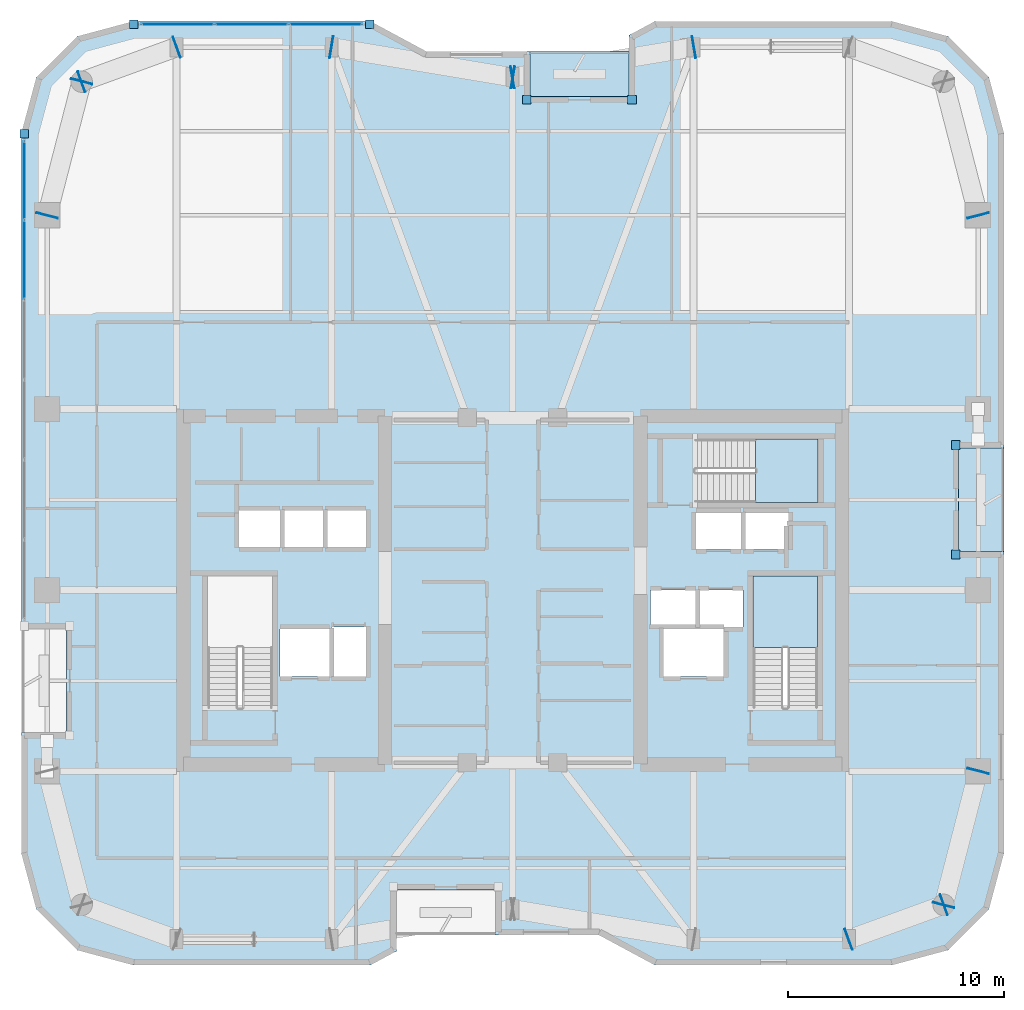
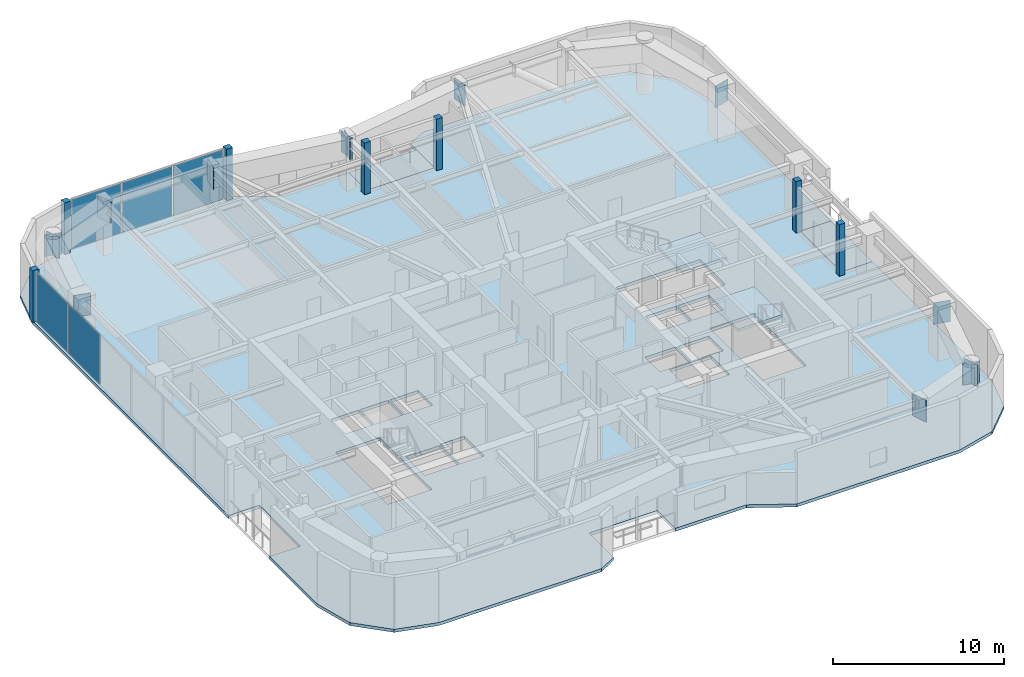
# One storey, part 13 of 21: 25 plates, 5 slabs, 4 elements without a shape of their own.
"""IFC4 building model written with IfcOpenShell, lengths in metres."""

from ifc_helpers import new_model, si_unit, direction, frame, origin, origin_2d, place, context, subcontext, project, spatial, polyline, rectangle, outline, extrude, material, layer, layer_set, type_object, element, aggregate, save


model = new_model("IFC4")

# Units and contexts
model_context = context("Model", 3, precision=1e-05, world=origin(), true_north=direction((0.0, 1.0)))
body_context = subcontext(model_context, "Body", "Model", "MODEL_VIEW")
ifc_project = project(units=[si_unit("LENGTHUNIT", "METRE"), si_unit("AREAUNIT", "SQUARE_METRE"), si_unit("VOLUMEUNIT", "CUBIC_METRE"), si_unit("PLANEANGLEUNIT", "RADIAN"), si_unit("MASSUNIT", "GRAM", prefix="KILO")], contexts=[model_context])

# Site, building, storey
site_placement = place(None, origin())
site = spatial("IfcSite", under=ifc_project, at=site_placement, CompositionType="ELEMENT")
building_placement = place(site_placement, origin())
building = spatial("IfcBuilding", under=site, at=building_placement, Name="Kiyonajd Concourse Tower", CompositionType="ELEMENT")
storey_placement = place(building_placement, frame((0.0, 0.0, 219.300048828125)))
storey = spatial("IfcBuildingStorey", under=building, at=storey_placement, Name="L55", CompositionType="ELEMENT", Elevation=219.300048828125)

# Plates
ifc_material_1 = material(Name="Steel ASTM A572 Grade 50", Category="steel")
ifc_layer_1 = layer(ifc_material_1, 0.031982421875)
ifc_layer_set_1 = layer_set([ifc_layer_1], Name="Steel ASTM A572 Grade 50")
plate_type_1 = type_object("IfcPlateType", Name="PL-CAP-540", PredefinedType="USERDEFINED", material=ifc_layer_set_1)
for number, where, z_axis, x_axis, name in (
    (1, (63.589599609375, 19.796142578125, 2.2099609375), (0.0, 0.0, 1.0), (-0.939811951086, -0.341692107891, 0.0), "L55 Welded Box Girder End Cap"),
    (2, (68.01025390625, 21.40380859375, 2.2099609375), (0.0, 0.0, 1.0), (0.939811951086, 0.341692107891, 0.0), "L55 Welded Box Girder End Cap"),
    (3, (67.997314453125, 21.389404296875, 2.2099609375), (0.0, 0.0, 1.0), (-0.249873048837, -0.968278606324, 0.0), "L55 Welded Box Girder End Cap"),
    (4, (69.602783203125, 27.610595703125, 2.2099609375), (0.0, 0.0, 1.0), (0.249873048837, 0.968278606324, 0.0), "L55 Welded Box Girder End Cap"),
    (5, (69.602783203125, 53.389404296875, 2.2099609375), (0.0, 0.0, 1.0), (0.249873048837, -0.968278606324, 0.0), "L55 Welded Box Girder End Cap"),
    (6, (56.410888671875, 61.201904296875, 2.2099609375), (0.0, 0.0, 1.0), (0.986400586142, 0.164359008451, 0.0), "L55 Welded Box Girder End Cap"),
    (7, (47.989013671875, 59.798095703125, 2.2099609375), (0.0, 0.0, 1.0), (-0.986400586142, -0.164359008451, 0.0), "L55 Welded Box Girder End Cap"),
    (8, (48.010986328125, 59.798095703125, 2.2099609375), (0.0, 0.0, 1.0), (0.986400586142, -0.164359008451, 0.0), "L55 Welded Box Girder End Cap"),
    (9, (39.589111328125, 61.201904296875, 2.2099609375), (0.0, 0.0, 1.0), (-0.986400586142, 0.164359008451, 0.0), "L55 Welded Box Girder End Cap"),
    (10, (32.410400390625, 61.203857421875, 2.2099609375), (0.0, 0.0, 1.0), (0.939811951086, 0.341692107891, 0.0), "L55 Welded Box Girder End Cap"),
    (11, (27.98974609375, 59.59619140625, 2.2099609375), (0.0, 0.0, 1.0), (-0.939811951086, -0.341692107891, 0.0), "L55 Welded Box Girder End Cap"),
    (12, (28.002685546875, 59.610595703125, 2.2099609375), (0.0, 0.0, 1.0), (0.249873048837, 0.968278606324, 0.0), "L55 Welded Box Girder End Cap"),
    (13, (26.397216796875, 53.389404296875, 2.2099609375), (0.0, 0.0, 1.0), (-0.249873048837, -0.968278606324, 0.0), "L55 Welded Box Girder End Cap"),
):
    element("IfcPlate", number, at=place(storey_placement, frame(where, z_axis=z_axis, x_axis=x_axis)), inside=storey, type_object=plate_type_1, Name=name, ObjectType="CAP PLATE", PredefinedType="USERDEFINED", context=body_context, shape_type="SweptSolid", body=[
        extrude(rectangle(XDim=0.035888671875, YDim=1.02001953125, at=origin_2d()), origin(), (0.0, 0.0, 1.0), 1.5400390625),
    ])

# Curtain wall, plates
ifc_material_2 = material(Name="Thermally Broken Anodised Aluminium", Category="aluminium")
ifc_layer_2 = layer(ifc_material_2, 0.179931640625)
ifc_layer_set_2 = layer_set([ifc_layer_2], Name="Thermally Broken Anodised Aluminium")
curtain_wall_type = type_object("IfcCurtainWallType", Name="CW-SYS-04", PredefinedType="NOTDEFINED", material=ifc_layer_set_2)
curtain_wall_1_placement = place(storey_placement, origin())
curtain_wall_1 = element("IfcCurtainWall", 14, at=curtain_wall_1_placement, inside=storey, type_object=curtain_wall_type, Name="L55 Unitised Curtain Wall CW4", PredefinedType="NOTDEFINED")
ifc_material_3 = material(Name="Double Low-E Insulated Glass", Category="glass")
ifc_layer_3 = layer(ifc_material_3, 0.033935546875)
ifc_layer_set_3 = layer_set([ifc_layer_3], Name="Double Low-E Insulated Glass")
plate_type_2 = type_object("IfcPlateType", Name="PL-CW-VIS34", PredefinedType="CURTAIN_PANEL", material=ifc_layer_set_3)
plate_1_placement = place(storey_placement, frame((25.340087890625, 51.326171875, 0.06494140625), z_axis=(0.0, 0.0, 1.0), x_axis=(0.0, 1.0, 0.0)))
plate_1 = element("IfcPlate", 15, at=plate_1_placement, type_object=plate_type_2, Name="CW4 panel 5.1", PredefinedType="CURTAIN_PANEL", context=body_context, shape_type="SweptSolid", body=[
    extrude(rectangle(XDim=3.645263671875, YDim=0.033935546875, at=origin_2d()), origin(), (0.0, 0.0, 1.0), 3.550048828125),
])
plate_2_placement = place(storey_placement, frame((25.340087890625, 55.020263671875, 0.06494140625), z_axis=(0.0, 0.0, 1.0), x_axis=(0.0, 1.0, 0.0)))
plate_2 = element("IfcPlate", 16, at=plate_2_placement, type_object=plate_type_2, Name="CW4 panel 6.1", PredefinedType="CURTAIN_PANEL", context=body_context, shape_type="SweptSolid", body=[
    extrude(rectangle(XDim=3.61279296875, YDim=0.033935546875, at=origin_2d()), origin(), (0.0, 0.0, 1.0), 3.550048828125),
])
aggregate(curtain_wall_1, [plate_1, plate_2])

curtain_wall_2_placement = place(storey_placement, origin())
curtain_wall_2 = element("IfcCurtainWall", 17, at=curtain_wall_2_placement, inside=storey, type_object=curtain_wall_type, Name="L55 Unitised Curtain Wall CW4", PredefinedType="NOTDEFINED")
plate_3_placement = place(storey_placement, frame((32.452392578125, 62.260009765625, 0.06494140625), z_axis=(0.0, 0.0, 1.0), x_axis=(1.0, 0.0, 0.0)))
plate_3 = element("IfcPlate", 18, at=plate_3_placement, type_object=plate_type_2, Name="CW4 panel 1.1", PredefinedType="CURTAIN_PANEL", context=body_context, shape_type="SweptSolid", body=[
    extrude(rectangle(XDim=3.35791015625, YDim=0.033935546875, at=origin_2d()), origin(), (0.0, 0.0, 1.0), 3.550048828125),
])
plate_4_placement = place(storey_placement, frame((35.8916015625, 62.260009765625, 0.06494140625), z_axis=(0.0, 0.0, 1.0), x_axis=(1.0, 0.0, 0.0)))
plate_4 = element("IfcPlate", 19, at=plate_4_placement, type_object=plate_type_2, Name="CW4 panel 2.1", PredefinedType="CURTAIN_PANEL", context=body_context, shape_type="SweptSolid", body=[
    extrude(rectangle(XDim=3.390380859375, YDim=0.033935546875, at=origin_2d()), origin(), (0.0, 0.0, 1.0), 3.550048828125),
])
plate_5_placement = place(storey_placement, frame((39.330810546875, 62.260009765625, 0.06494140625), z_axis=(0.0, 0.0, 1.0), x_axis=(1.0, 0.0, 0.0)))
plate_5 = element("IfcPlate", 20, at=plate_5_placement, type_object=plate_type_2, Name="CW4 panel 3.1", PredefinedType="CURTAIN_PANEL", context=body_context, shape_type="SweptSolid", body=[
    extrude(rectangle(XDim=3.35791015625, YDim=0.033935546875, at=origin_2d()), origin(), (0.0, 0.0, 1.0), 3.550048828125),
])
aggregate(curtain_wall_2, [plate_3, plate_4, plate_5])

# Plates
ifc_layer_4 = layer(ifc_material_2, 0.39990234375)
ifc_layer_set_4 = layer_set([ifc_layer_4], Name="Thermally Broken Anodised Aluminium")
plate_type_3 = type_object("IfcPlateType", Name="PL-JMB-400", PredefinedType="USERDEFINED", material=ifc_layer_set_4)
for number, where, z_axis, x_axis, name in (
    (21, (25.340087890625, 57.181640625, 0.0), (0.0, 0.0, 1.0), (1.0, 0.0, 0.0), "L55 Facade Jamb Closure Plate 04"),
    (22, (30.41845703125, 62.260009765625, 0.0), (0.0, 0.0, 1.0), (1.0, 0.0, 0.0), "L55 Facade Jamb Closure Plate 05"),
    (23, (41.36474609375, 62.260009765625, 0.0), (0.0, 0.0, 1.0), (1.0, 0.0, 0.0), "L55 Facade Jamb Closure Plate 06"),
    (24, (48.659912109375, 58.760009765625, 0.0), (0.0, 0.0, 1.0), (1.0, 0.0, 0.0), "L55 Facade Jamb Closure Plate 07"),
    (25, (53.5400390625, 58.760009765625, 0.0), (0.0, 0.0, 1.0), (1.0, 0.0, 0.0), "L55 Facade Jamb Closure Plate 08"),
    (26, (68.56005859375, 42.739990234375, 0.0), (0.0, 0.0, 1.0), (1.0, 0.0, 0.0), "L55 Facade Jamb Closure Plate 09"),
    (27, (68.56005859375, 37.659912109375, 0.0), (0.0, 0.0, 1.0), (1.0, 0.0, 0.0), "L55 Facade Jamb Closure Plate 10"),
):
    element("IfcPlate", number, at=place(storey_placement, frame(where, z_axis=z_axis, x_axis=x_axis)), inside=storey, type_object=plate_type_3, Name=name, ObjectType="JAMB PLATE", PredefinedType="USERDEFINED", context=body_context, shape_type="SweptSolid", body=[
        extrude(rectangle(XDim=0.39990234375, YDim=0.39990234375, at=origin_2d()), origin(), (0.0, 0.0, 1.0), 3.679931640625),
    ])

# Stair, slab
ifc_material_4 = material(Name="Concrete C40/50", Category="concrete")
stair_type = type_object("IfcStairType", Name="ST-DLG-22R", PredefinedType="HALF_TURN_STAIR", material=ifc_material_4)
stair_1_placement = place(storey_placement, origin())
stair_1 = element("IfcStair", 28, at=stair_1_placement, inside=storey, type_object=stair_type, Name="L55 Protected Exit Stair ST2", PredefinedType="HALF_TURN_STAIR")
ifc_layer_5 = layer(ifc_material_4, 0.199951171875)
ifc_layer_set_5 = layer_set([ifc_layer_5], Name="Concrete C40/50")
slab_type_1 = type_object("IfcSlabType", Name="SL-LND-200", PredefinedType="LANDING", material=ifc_layer_set_5)
slab_1_placement = place(storey_placement, frame((0.0, 0.0, 1.75)))
slab_1 = element("IfcSlab", 29, at=slab_1_placement, type_object=slab_type_1, Name="ST2 landing 1", PredefinedType="LANDING", context=body_context, shape_type="SweptSolid", body=[
    extrude(outline(polyline([(62.14990234375, 33.35009765625), (62.14990234375, 36.64990234375), (59.14990234375, 36.64990234375), (59.14990234375, 33.35009765625), (62.14990234375, 33.35009765625)])), origin(), (0.0, 0.0, 1.0), 0.199951171875),
])
aggregate(stair_1, [slab_1])

stair_2_placement = place(storey_placement, origin())
stair_2 = element("IfcStair", 30, at=stair_2_placement, inside=storey, type_object=stair_type, Name="L55 Protected Exit Stair ST3", PredefinedType="HALF_TURN_STAIR")
slab_2_placement = place(storey_placement, frame((0.0, 0.0, 1.75)))
slab_2 = element("IfcSlab", 31, at=slab_2_placement, type_object=slab_type_1, Name="ST3 landing 1", PredefinedType="LANDING", context=body_context, shape_type="SweptSolid", body=[
    extrude(outline(polyline([(59.280029296875, 40.080078125), (62.179931640625, 40.080078125), (62.179931640625, 43.02001953125), (59.280029296875, 43.02001953125), (59.280029296875, 40.080078125)])), origin(), (0.0, 0.0, 1.0), 0.199951171875),
])
aggregate(stair_2, [slab_2])

# Slabs
ifc_material_5 = material(Name="Precast concrete C50/60", Category="concrete")
ifc_layer_6 = layer(ifc_material_5, 0.199951171875)
ifc_layer_set_6 = layer_set([ifc_layer_6], Name="Precast concrete C50/60")
slab_type_2 = type_object("IfcSlabType", Name="SL-LOG-200", PredefinedType="FLOOR", material=ifc_layer_set_6)
slab_3_placement = place(storey_placement, frame((0.0, 0.0, -0.199951171875)))
element("IfcSlab", 32, at=slab_3_placement, inside=storey, type_object=slab_type_2, Name="L55 Recessed Engawa Loggia Terrace Slab LOG-N", PredefinedType="FLOOR", context=body_context, shape_type="SweptSolid", body=[
    extrude(outline(polyline([(48.800048828125, 58.89990234375), (53.39990234375, 58.89990234375), (53.39990234375, 61.0), (48.800048828125, 61.0), (48.800048828125, 58.89990234375)])), origin(), (0.0, 0.0, 1.0), 0.199951171875),
])
slab_4_placement = place(storey_placement, frame((0.0, 0.0, -0.199951171875)))
element("IfcSlab", 33, at=slab_4_placement, inside=storey, type_object=slab_type_2, Name="L55 Recessed Engawa Loggia Terrace Slab LOG-E", PredefinedType="FLOOR", context=body_context, shape_type="SweptSolid", body=[
    extrude(outline(polyline([(68.699951171875, 37.800048828125), (70.800048828125, 37.800048828125), (70.800048828125, 42.60009765625), (68.699951171875, 42.60009765625), (68.699951171875, 37.800048828125)])), origin(), (0.0, 0.0, 1.0), 0.199951171875),
])
ifc_layer_7 = layer(ifc_material_4, 0.219970703125)
ifc_layer_set_7 = layer_set([ifc_layer_7], Name="Concrete C40/50")
slab_type_3 = type_object("IfcSlabType", Name="SL-TWR-220", PredefinedType="FLOOR", material=ifc_layer_set_7)
slab_5_placement = place(storey_placement, frame((0.0, 0.0, -0.219970703125)))
element("IfcSlab", 34, at=slab_5_placement, inside=storey, type_object=slab_type_3, Name="L55 Tower Conditioned Floor Slab", PredefinedType="FLOOR", context=body_context, shape_type="SweptSolid", body=[
    extrude(outline(polyline([(25.89697265625, 21.199951171875), (25.199951171875, 23.800048828125), (25.199951171875, 29.39990234375), (27.300048828125, 29.39990234375), (27.300048828125, 34.199951171875), (25.199951171875, 34.199951171875), (25.199951171875, 57.199951171875), (25.89697265625, 59.800048828125), (27.800048828125, 61.702880859375), (30.39990234375, 62.39990234375), (41.39990234375, 62.39990234375), (44.0, 61.0), (48.800048828125, 61.0), (48.800048828125, 58.89990234375), (53.39990234375, 58.89990234375), (53.39990234375, 61.75390625), (54.60009765625, 62.39990234375), (65.60009765625, 62.39990234375), (68.199951171875, 61.702880859375), (70.10302734375, 59.800048828125), (70.800048828125, 57.199951171875), (70.800048828125, 42.60009765625), (68.699951171875, 42.60009765625), (68.699951171875, 37.800048828125), (70.800048828125, 37.800048828125), (70.800048828125, 23.800048828125), (70.10302734375, 21.199951171875), (68.199951171875, 19.297119140625), (65.60009765625, 18.60009765625), (54.60009765625, 18.60009765625), (52.0, 20.0), (47.199951171875, 20.0), (47.199951171875, 22.10009765625), (42.60009765625, 22.10009765625), (42.60009765625, 19.24609375), (41.39990234375, 18.60009765625), (30.39990234375, 18.60009765625), (27.800048828125, 19.297119140625), (25.89697265625, 21.199951171875)]), holes=[polyline([(39.5, 32.0), (37.199951171875, 32.0), (37.199951171875, 34.199951171875), (39.5, 34.199951171875), (39.5, 32.0)]), polyline([(39.60009765625, 32.0), (39.60009765625, 34.300048828125), (41.199951171875, 34.300048828125), (41.199951171875, 32.0), (39.60009765625, 32.0)]), polyline([(33.85009765625, 30.550048828125), (33.85009765625, 36.64990234375), (36.85009765625, 36.64990234375), (36.85009765625, 30.550048828125), (33.85009765625, 30.550048828125)]), polyline([(56.5, 34.300048828125), (54.39990234375, 34.300048828125), (54.39990234375, 36.0), (56.5, 36.0), (56.5, 34.300048828125)]), polyline([(35.300048828125, 38.0), (35.300048828125, 39.699951171875), (37.199951171875, 39.699951171875), (37.199951171875, 38.0), (35.300048828125, 38.0)]), polyline([(37.300048828125, 38.0), (37.300048828125, 39.699951171875), (39.199951171875, 39.699951171875), (39.199951171875, 38.0), (37.300048828125, 38.0)]), polyline([(41.199951171875, 38.0), (39.300048828125, 38.0), (39.300048828125, 39.699951171875), (41.199951171875, 39.699951171875), (41.199951171875, 38.0)]), polyline([(55.0, 32.0), (55.0, 34.199951171875), (57.800048828125, 34.199951171875), (57.800048828125, 32.0), (55.0, 32.0)]), polyline([(59.14990234375, 30.550048828125), (59.14990234375, 36.64990234375), (62.14990234375, 36.64990234375), (62.14990234375, 30.550048828125), (59.14990234375, 30.550048828125)]), polyline([(56.60009765625, 34.300048828125), (56.60009765625, 36.0), (58.699951171875, 36.0), (58.699951171875, 34.300048828125), (56.60009765625, 34.300048828125)]), polyline([(56.5, 37.89990234375), (56.5, 39.60009765625), (58.60009765625, 39.60009765625), (58.60009765625, 37.89990234375), (56.5, 37.89990234375)]), polyline([(58.699951171875, 37.89990234375), (58.699951171875, 39.60009765625), (60.800048828125, 39.60009765625), (60.800048828125, 37.89990234375), (58.699951171875, 37.89990234375)]), polyline([(56.47998046875, 43.02001953125), (62.179931640625, 43.02001953125), (62.179931640625, 40.080078125), (56.47998046875, 40.080078125), (56.47998046875, 43.02001953125)])]), origin(), (0.0, 0.0, 1.0), 0.219970703125),
])

save(model, "model.ifc")
